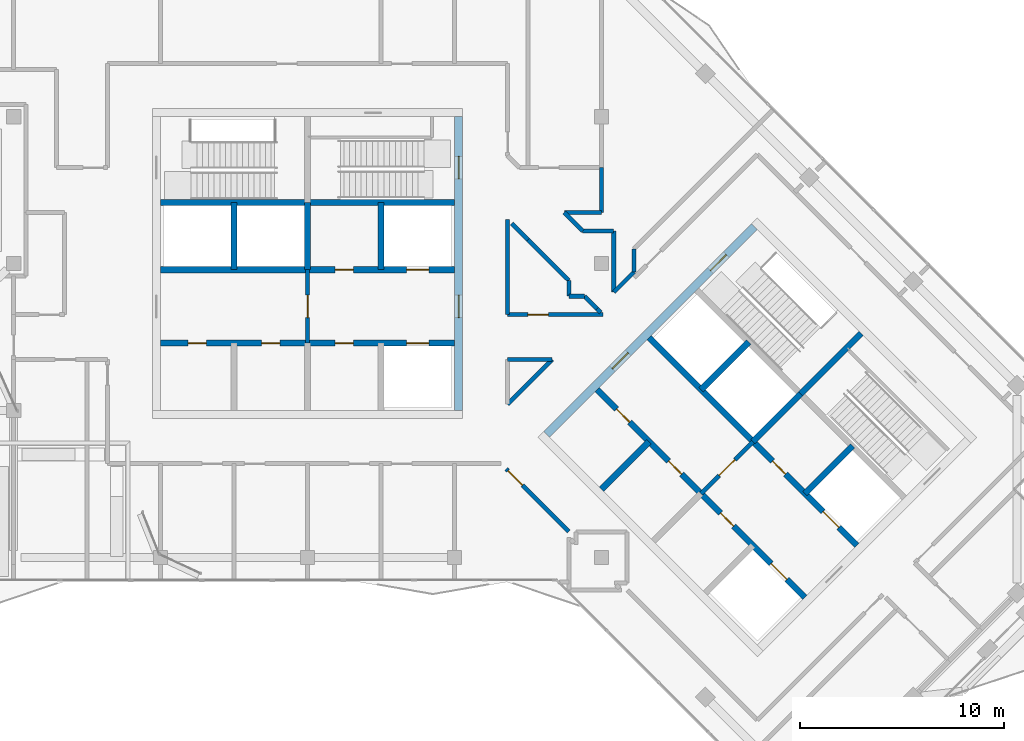
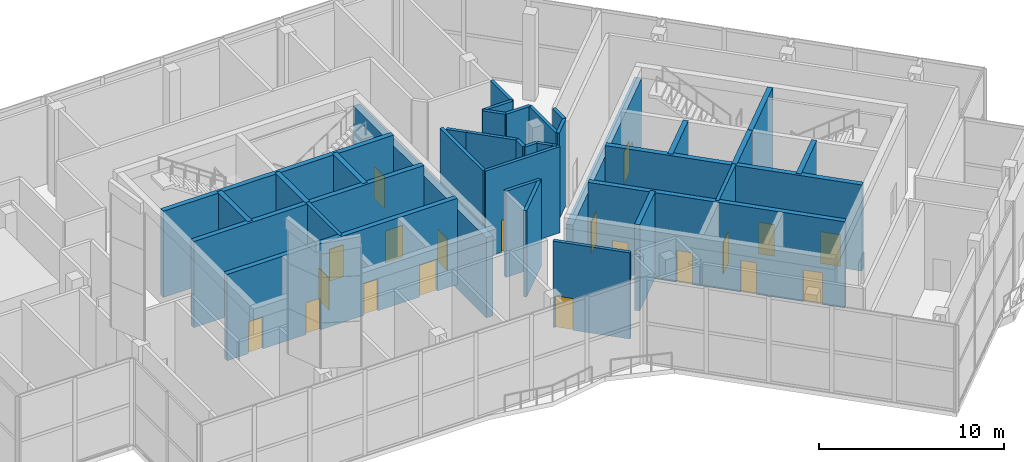
# One storey, part 13 of 19: 36 walls, 20 doors, 20 openings.
"""IFC4 building model written with IfcOpenShell, lengths in metres."""

from ifc_helpers import new_model, si_unit, direction, frame, frame_2d, origin, place, context, subcontext, project, spatial, rectangle, extrude, material, layer, layer_set, type_object, element, fill, save


model = new_model("IFC4")

# Units and contexts
model_context = context("Model", 3, precision=1e-05, world=origin(), true_north=direction((0.0, 1.0)))
body_context = subcontext(model_context, "Body", "Model", "MODEL_VIEW")
ifc_project = project(units=[si_unit("LENGTHUNIT", "METRE"), si_unit("AREAUNIT", "SQUARE_METRE"), si_unit("VOLUMEUNIT", "CUBIC_METRE"), si_unit("PLANEANGLEUNIT", "RADIAN"), si_unit("MASSUNIT", "GRAM", prefix="KILO")], contexts=[model_context])

# Site, building, storey
site_placement = place(None, origin())
site = spatial("IfcSite", under=ifc_project, at=site_placement, CompositionType="ELEMENT")
building_placement = place(site_placement, origin())
building = spatial("IfcBuilding", under=site, at=building_placement, Name="Windrow Commons", CompositionType="ELEMENT")
storey_placement = place(building_placement, frame((0.0, 0.0, 284.6)))
storey = spatial("IfcBuildingStorey", under=building, at=storey_placement, Name="L78", CompositionType="ELEMENT", Elevation=284.6)

# Wall, opening, door
ifc_material_1 = material(Name="Blockwork partition", Category="masonry")
ifc_layer_1 = layer(ifc_material_1, 0.2)
ifc_layer_set_1 = layer_set([ifc_layer_1], Name="Fire lobby partition 200")
wall_type_1 = type_object("IfcWallType", Name="Fire lobby partition 200", PredefinedType="PARTITIONING", material=ifc_layer_set_1)
wall_1_placement = place(storey_placement, frame((64.8, 53.7, 0.0), z_axis=(0.0, 0.0, 1.0), x_axis=(0.0, 1.0, 0.0)))
wall_1 = element("IfcWall", 1, at=wall_1_placement, inside=storey, type_object=wall_type_1, Name="W-core-lobby-A-L78", PredefinedType="PARTITIONING", context=body_context, shape_type="SweptSolid", body=[
    extrude(rectangle(XDim=3.6, YDim=0.2, at=frame_2d((1.8, 0.0))), origin(), (0.0, 0.0, 1.0), 5.7),
])
opening_1_placement = place(wall_1_placement, frame((1.25, 0.0, 0.0)))
opening_1 = element("IfcOpeningElement", 2, at=opening_1_placement, cuts=wall_1, Name="Opening D6", PredefinedType="OPENING", context=body_context, shape_type="SweptSolid", body=[
    extrude(rectangle(XDim=1.1, YDim=2.1, at=frame_2d((0.55, 1.05))), frame((0.0, 0.11, 0.0), z_axis=(0.0, -1.0, 0.0), x_axis=(1.0, 0.0, 0.0)), (0.0, 0.0, 1.0), 0.22),
])
ifc_material_2 = material(Name="Steel fire door leaf", Category="steel")
door_type_1 = type_object("IfcDoorType", Name="Core lobby door 1100", OperationType="SINGLE_SWING_LEFT", PredefinedType="DOOR", material=ifc_material_2)
door_1_placement = place(opening_1_placement, origin())
door_1 = element("IfcDoor", 3, at=door_1_placement, inside=storey, type_object=door_type_1, Name="Lift lobby door", OperationType="DOUBLE_DOOR_SINGLE_SWING", OverallHeight=2.1, OverallWidth=1.1, PredefinedType="DOOR", context=body_context, shape_type="SweptSolid", body=[
    extrude(rectangle(XDim=1.1, YDim=2.1, at=frame_2d((0.55, 1.05))), frame((0.0, 0.025, 0.0), z_axis=(0.0, -1.0, 0.0), x_axis=(1.0, 0.0, 0.0)), (0.0, 0.0, 1.0), 0.05),
])
fill(opening_1, door_1)

wall_2_placement = place(storey_placement, frame((84.079, 46.332, 0.0), z_axis=(0.0, 0.0, 1.0), x_axis=(0.7071067812, 0.7071067812, 0.0)))
wall_2 = element("IfcWall", 4, at=wall_2_placement, inside=storey, type_object=wall_type_1, Name="W-core-lobby-B-L78", PredefinedType="PARTITIONING", context=body_context, shape_type="SweptSolid", body=[
    extrude(rectangle(XDim=3.6, YDim=0.2, at=frame_2d((1.8, 0.0))), origin(), (0.0, 0.0, 1.0), 5.7),
])
opening_2_placement = place(wall_2_placement, frame((1.25, 0.0, 0.0)))
opening_2 = element("IfcOpeningElement", 5, at=opening_2_placement, cuts=wall_2, Name="Opening D6", PredefinedType="OPENING", context=body_context, shape_type="SweptSolid", body=[
    extrude(rectangle(XDim=1.1, YDim=2.1, at=frame_2d((0.55, 1.05))), frame((0.0, 0.11, 0.0), z_axis=(0.0, -1.0, 0.0), x_axis=(1.0, 0.0, 0.0)), (0.0, 0.0, 1.0), 0.22),
])
door_2_placement = place(opening_2_placement, origin())
door_2 = element("IfcDoor", 6, at=door_2_placement, inside=storey, type_object=door_type_1, Name="Lift lobby door", OperationType="DOUBLE_DOOR_SINGLE_SWING", OverallHeight=2.1, OverallWidth=1.1, PredefinedType="DOOR", context=body_context, shape_type="SweptSolid", body=[
    extrude(rectangle(XDim=1.1, YDim=2.1, at=frame_2d((0.55, 1.05))), frame((0.0, 0.025, 0.0), z_axis=(0.0, -1.0, 0.0), x_axis=(1.0, 0.0, 0.0)), (0.0, 0.0, 1.0), 0.05),
])
fill(opening_2, door_2)

# Wall
ifc_material_3 = material(Name="Blockwork partition", Category="masonry")
ifc_layer_2 = layer(ifc_material_3, 0.2)
ifc_layer_set_2 = layer_set([ifc_layer_2], Name="IW-CORRIDOR-200")
wall_type_2 = type_object("IfcWallType", Name="IW-CORRIDOR-200", PredefinedType="PARTITIONING", material=ifc_layer_set_2)
wall_3_placement = place(storey_placement, frame((74.6, 55.102, 0.0), z_axis=(0.0, 0.0, 1.0), x_axis=(0.0, 1.0, 0.0)))
element("IfcWall", 7, at=wall_3_placement, inside=storey, type_object=wall_type_2, Name="W-L78-W033", PredefinedType="PARTITIONING", context=body_context, shape_type="SweptSolid", body=[
    extrude(rectangle(XDim=4.666, YDim=0.2, at=frame_2d((2.333, 0.0))), origin(), (0.0, 0.0, 1.0), 5.7),
])

# Wall, opening, door
wall_4_placement = place(storey_placement, frame((74.602, 55.1, 0.0), z_axis=(0.0, 0.0, 1.0), x_axis=(1.0, 0.0, 0.0)))
wall_4 = element("IfcWall", 8, at=wall_4_placement, inside=storey, type_object=wall_type_2, Name="W-L78-W034", PredefinedType="PARTITIONING", context=body_context, shape_type="SweptSolid", body=[
    extrude(rectangle(XDim=4.666, YDim=0.2, at=frame_2d((2.333, 0.0))), origin(), (0.0, 0.0, 1.0), 5.7),
])
opening_3_placement = place(wall_4_placement, frame((0.9954, 0.0, 0.0)))
opening_3 = element("IfcOpeningElement", 9, at=opening_3_placement, cuts=wall_4, Name="Opening D410F", PredefinedType="OPENING", context=body_context, shape_type="SweptSolid", body=[
    extrude(rectangle(XDim=1.0, YDim=2.1, at=frame_2d((0.5, 1.05))), frame((0.0, 0.11, 0.0), z_axis=(0.0, -1.0, 0.0), x_axis=(1.0, 0.0, 0.0)), (0.0, 0.0, 1.0), 0.22),
])
ifc_material_4 = material(Name="Timber door leaf", Category="wood")
door_type_2 = type_object("IfcDoorType", Name="DT-SERVICE-1000", OperationType="SINGLE_SWING_LEFT", PredefinedType="DOOR", material=ifc_material_4)
door_3_placement = place(opening_3_placement, origin())
door_3 = element("IfcDoor", 10, at=door_3_placement, inside=storey, type_object=door_type_2, Name="D-L78-D001", OperationType="SINGLE_SWING_LEFT", OverallHeight=2.1, OverallWidth=1.0, PredefinedType="DOOR", context=body_context, shape_type="SweptSolid", body=[
    extrude(rectangle(XDim=1.0, YDim=2.1, at=frame_2d((0.5, 1.05))), frame((0.0, 0.025, 0.0), z_axis=(0.0, -1.0, 0.0), x_axis=(1.0, 0.0, 0.0)), (0.0, 0.0, 1.0), 0.05),
])
fill(opening_3, door_3)

wall_5_placement = place(storey_placement, frame((74.5375, 47.5375, 0.0), z_axis=(0.0, 0.0, 1.0), x_axis=(0.7071067812, -0.7071067812, 0.0)))
wall_5 = element("IfcWall", 11, at=wall_5_placement, inside=storey, type_object=wall_type_2, Name="W-L78-W041", PredefinedType="PARTITIONING", context=body_context, shape_type="SweptSolid", body=[
    extrude(rectangle(XDim=4.336, YDim=0.2, at=frame_2d((2.168, 0.0))), origin(), (0.0, 0.0, 1.0), 5.7),
])
opening_4_placement = place(wall_5_placement, frame((0.1222, 0.0, 0.0)))
opening_4 = element("IfcOpeningElement", 12, at=opening_4_placement, cuts=wall_5, Name="Opening D410F", PredefinedType="OPENING", context=body_context, shape_type="SweptSolid", body=[
    extrude(rectangle(XDim=1.0, YDim=2.1, at=frame_2d((0.5, 1.05))), frame((0.0, 0.11, 0.0), z_axis=(0.0, -1.0, 0.0), x_axis=(1.0, 0.0, 0.0)), (0.0, 0.0, 1.0), 0.22),
])
door_4_placement = place(opening_4_placement, origin())
door_4 = element("IfcDoor", 13, at=door_4_placement, inside=storey, type_object=door_type_2, Name="D-L78-D021", OperationType="SINGLE_SWING_LEFT", OverallHeight=2.1, OverallWidth=1.0, PredefinedType="DOOR", context=body_context, shape_type="SweptSolid", body=[
    extrude(rectangle(XDim=1.0, YDim=2.1, at=frame_2d((0.5, 1.05))), frame((0.0, 0.025, 0.0), z_axis=(0.0, -1.0, 0.0), x_axis=(1.0, 0.0, 0.0)), (0.0, 0.0, 1.0), 0.05),
])
fill(opening_4, door_4)

# Walls
wall_6_placement = place(storey_placement, frame((74.601, 50.715, 0.0), z_axis=(0.0, 0.0, 1.0), x_axis=(0.7071067812, 0.7071067812, 0.0)))
element("IfcWall", 14, at=wall_6_placement, inside=storey, type_object=wall_type_2, Name="W-L78-W052", PredefinedType="PARTITIONING", context=body_context, shape_type="SweptSolid", body=[
    extrude(rectangle(XDim=3.0886, YDim=0.2, at=frame_2d((1.5443, 0.0))), origin(), (0.0, 0.0, 1.0), 5.7),
])
wall_7_placement = place(storey_placement, frame((79.8, 56.198, 0.0), z_axis=(0.0, 0.0, 1.0), x_axis=(0.0, 1.0, 0.0)))
element("IfcWall", 15, at=wall_7_placement, inside=storey, type_object=wall_type_2, Name="W-L78-W053", PredefinedType="PARTITIONING", context=body_context, shape_type="SweptSolid", body=[
    extrude(rectangle(XDim=3.002, YDim=0.2, at=frame_2d((1.501, 0.0))), origin(), (0.0, 0.0, 1.0), 5.7),
])
wall_8_placement = place(storey_placement, frame((75.6014, 58.7714, 0.0), z_axis=(0.0, 0.0, 1.0), x_axis=(0.7074604229, -0.7067529625, 0.0)))
element("IfcWall", 16, at=wall_8_placement, inside=storey, type_object=wall_type_2, Name="W-L78-W055", PredefinedType="PARTITIONING", context=body_context, shape_type="SweptSolid", body=[
    extrude(rectangle(XDim=2.827, YDim=0.2, at=frame_2d((1.4135, 0.0))), origin(), (0.0, 0.0, 1.0), 5.7),
])
wall_9_placement = place(storey_placement, frame((79.2, 60.1, 0.0), z_axis=(0.0, 0.0, 1.0), x_axis=(0.0, 1.0, 0.0)))
element("IfcWall", 17, at=wall_9_placement, inside=storey, type_object=wall_type_2, Name="W-L78-W066", PredefinedType="PARTITIONING", context=body_context, shape_type="SweptSolid", body=[
    extrude(rectangle(XDim=2.2, YDim=0.2, at=frame_2d((1.1, 0.0))), origin(), (0.0, 0.0, 1.0), 5.7),
])
wall_10_placement = place(storey_placement, frame((74.602, 52.9, 0.0), z_axis=(0.0, 0.0, 1.0), x_axis=(1.0, 0.0, 0.0)))
element("IfcWall", 18, at=wall_10_placement, inside=storey, type_object=wall_type_2, Name="W-L78-W069", PredefinedType="PARTITIONING", context=body_context, shape_type="SweptSolid", body=[
    extrude(rectangle(XDim=2.184, YDim=0.2, at=frame_2d((1.092, 0.0))), origin(), (0.0, 0.0, 1.0), 5.7),
])
wall_11_placement = place(storey_placement, frame((77.384, 60.1, 0.0), z_axis=(0.0, 0.0, 1.0), x_axis=(1.0, 0.0, 0.0)))
element("IfcWall", 19, at=wall_11_placement, inside=storey, type_object=wall_type_2, Name="W-L78-W079", PredefinedType="PARTITIONING", context=body_context, shape_type="SweptSolid", body=[
    extrude(rectangle(XDim=1.816, YDim=0.2, at=frame_2d((0.908, 0.0))), origin(), (0.0, 0.0, 1.0), 5.7),
])
wall_12_placement = place(storey_placement, frame((78.282, 59.2, 0.0), z_axis=(0.0, 0.0, 1.0), x_axis=(1.0, 0.0, 0.0)))
element("IfcWall", 20, at=wall_12_placement, inside=storey, type_object=wall_type_2, Name="W-L78-W080", PredefinedType="PARTITIONING", context=body_context, shape_type="SweptSolid", body=[
    extrude(rectangle(XDim=1.518, YDim=0.2, at=frame_2d((0.759, 0.0))), origin(), (0.0, 0.0, 1.0), 5.7),
])
wall_13_placement = place(storey_placement, frame((79.8033, 56.1947, 0.0), z_axis=(0.0, 0.0, 1.0), x_axis=(0.7063986127, 0.7078142412, 0.0)))
element("IfcWall", 21, at=wall_13_placement, inside=storey, type_object=wall_type_2, Name="W-L78-W081", PredefinedType="PARTITIONING", context=body_context, shape_type="SweptSolid", body=[
    extrude(rectangle(XDim=1.4128, YDim=0.2, at=frame_2d((0.7064, 0.0))), origin(), (0.0, 0.0, 1.0), 5.7),
])
wall_14_placement = place(storey_placement, frame((77.3809, 60.0949, 0.0), z_axis=(0.0, 0.0, 1.0), x_axis=(0.7071067812, -0.7071067812, 0.0)))
element("IfcWall", 22, at=wall_14_placement, inside=storey, type_object=wall_type_2, Name="W-L78-W084", PredefinedType="PARTITIONING", context=body_context, shape_type="SweptSolid", body=[
    extrude(rectangle(XDim=1.27, YDim=0.2, at=frame_2d((0.635, 0.0))), origin(), (0.0, 0.0, 1.0), 5.7),
])
wall_15_placement = place(storey_placement, frame((74.7972, 59.5672, 0.0), z_axis=(0.0, 0.0, 1.0), x_axis=(0.7071067812, -0.7071067812, 0.0)))
element("IfcWall", 23, at=wall_15_placement, inside=storey, type_object=wall_type_2, Name="W-L78-W086", PredefinedType="PARTITIONING", context=body_context, shape_type="SweptSolid", body=[
    extrude(rectangle(XDim=1.1314, YDim=0.2, at=frame_2d((0.5657, 0.0))), origin(), (0.0, 0.0, 1.0), 5.7),
])
wall_16_placement = place(storey_placement, frame((78.3714, 55.9994, 0.0), z_axis=(0.0, 0.0, 1.0), x_axis=(0.7059598138, -0.7082518911, 0.0)))
element("IfcWall", 24, at=wall_16_placement, inside=storey, type_object=wall_type_2, Name="W-L78-W090", PredefinedType="PARTITIONING", context=body_context, shape_type="SweptSolid", body=[
    extrude(rectangle(XDim=0.8726, YDim=0.2, at=frame_2d((0.4363, 0.0))), origin(), (0.0, 0.0, 1.0), 5.7),
])
for number, where, z_axis, x_axis, name in (
    (25, (77.602, 56.0, 0.0), (0.0, 0.0, 1.0), (1.0, 0.0, 0.0), "W-L78-W093"),
    (26, (77.6, 56.002, 0.0), (0.0, 0.0, 1.0), (0.0, 1.0, 0.0), "W-L78-W094"),
):
    element("IfcWall", number, at=place(storey_placement, frame(where, z_axis=z_axis, x_axis=x_axis)), inside=storey, type_object=wall_type_2, Name=name, PredefinedType="PARTITIONING", context=body_context, shape_type="SweptSolid", body=[
        extrude(rectangle(XDim=0.768, YDim=0.2, at=frame_2d((0.384, 0.0))), origin(), (0.0, 0.0, 1.0), 5.7),
    ])
wall_17_placement = place(storey_placement, frame((78.9852, 55.3792, 0.0), z_axis=(0.0, 0.0, 1.0), x_axis=(0.7096269458, -0.7045776024, 0.0)))
element("IfcWall", 27, at=wall_17_placement, inside=storey, type_object=wall_type_2, Name="W-L78-W119", PredefinedType="PARTITIONING", context=body_context, shape_type="SweptSolid", body=[
    extrude(rectangle(XDim=0.2575, YDim=0.2, at=frame_2d((0.1288, 0.0))), origin(), (0.0, 0.0, 1.0), 5.7),
])
ifc_material_5 = material(Name="Blockwork partition", Category="masonry")
ifc_layer_3 = layer(ifc_material_5, 0.2)
ifc_layer_set_3 = layer_set([ifc_layer_3], Name="IW-PARTY-200")
wall_type_3 = type_object("IfcWallType", Name="IW-PARTY-200", PredefinedType="PARTITIONING", material=ifc_layer_set_3)
wall_18_placement = place(storey_placement, frame((80.8, 57.196, 0.0), z_axis=(0.0, 0.0, 1.0), x_axis=(0.0, 1.0, 0.0)))
element("IfcWall", 28, at=wall_18_placement, inside=storey, type_object=wall_type_3, Name="W-L78-W087", PredefinedType="PARTITIONING", context=body_context, shape_type="SweptSolid", body=[
    extrude(rectangle(XDim=1.13, YDim=0.2, at=frame_2d((0.565, 0.0))), origin(), (0.0, 0.0, 1.0), 5.7),
])

# Wall, openings, doors
ifc_material_6 = material(Name="Concrete C40/50", Category="concrete")
ifc_layer_4 = layer(ifc_material_6, 0.4)
ifc_layer_set_4 = layer_set([ifc_layer_4], Name="RC CORE WALL 400 C40/50")
wall_type_4 = type_object("IfcWallType", Name="RC CORE WALL 400 C40/50", PredefinedType="SHEAR", material=ifc_layer_set_4)
wall_19_placement = place(storey_placement, frame((72.2, 50.4, -0.3), z_axis=(0.0, 0.0, 1.0), x_axis=(0.0, 1.0, 0.0)))
wall_19 = element("IfcWall", 29, at=wall_19_placement, inside=storey, type_object=wall_type_4, Name="Core A wall outer-E", PredefinedType="SHEAR", context=body_context, shape_type="SweptSolid", body=[
    extrude(rectangle(XDim=14.4, YDim=0.4, at=frame_2d((7.2, 0.0))), origin(), (0.0, 0.0, 1.0), 5.3),
])
opening_5_placement = place(wall_19_placement, frame((4.55, 0.0, 0.3)))
opening_5 = element("IfcOpeningElement", 30, at=opening_5_placement, cuts=wall_19, Name="Opening D6", PredefinedType="OPENING", context=body_context, shape_type="SweptSolid", body=[
    extrude(rectangle(XDim=1.1, YDim=2.1, at=frame_2d((0.55, 1.05))), frame((0.0, 0.21, 0.0), z_axis=(0.0, -1.0, 0.0), x_axis=(1.0, 0.0, 0.0)), (0.0, 0.0, 1.0), 0.42),
])
opening_6_placement = place(wall_19_placement, frame((11.35, 0.0, 0.3)))
opening_6 = element("IfcOpeningElement", 31, at=opening_6_placement, cuts=wall_19, Name="Opening D7", PredefinedType="OPENING", context=body_context, shape_type="SweptSolid", body=[
    extrude(rectangle(XDim=1.1, YDim=2.1, at=frame_2d((0.55, 1.05))), frame((0.0, 0.21, 0.0), z_axis=(0.0, -1.0, 0.0), x_axis=(1.0, 0.0, 0.0)), (0.0, 0.0, 1.0), 0.42),
])
door_5_placement = place(opening_5_placement, origin())
door_5 = element("IfcDoor", 32, at=door_5_placement, inside=storey, type_object=door_type_1, Name="Lift lobby door", OperationType="DOUBLE_DOOR_SINGLE_SWING", OverallHeight=2.1, OverallWidth=1.1, PredefinedType="DOOR", context=body_context, shape_type="SweptSolid", body=[
    extrude(rectangle(XDim=1.1, YDim=2.1, at=frame_2d((0.55, 1.05))), frame((0.0, 0.025, 0.0), z_axis=(0.0, -1.0, 0.0), x_axis=(1.0, 0.0, 0.0)), (0.0, 0.0, 1.0), 0.05),
])
fill(opening_5, door_5)
ifc_material_7 = material(Name="Steel fire door leaf", Category="steel")
door_type_3 = type_object("IfcDoorType", Name="Stair door 1100", OperationType="SINGLE_SWING_LEFT", PredefinedType="DOOR", material=ifc_material_7)
door_6_placement = place(opening_6_placement, origin())
door_6 = element("IfcDoor", 33, at=door_6_placement, inside=storey, type_object=door_type_3, Name="Stair door", OperationType="SINGLE_SWING_RIGHT", OverallHeight=2.1, OverallWidth=1.1, PredefinedType="DOOR", context=body_context, shape_type="SweptSolid", body=[
    extrude(rectangle(XDim=1.1, YDim=2.1, at=frame_2d((0.55, 1.05))), frame((0.0, 0.025, 0.0), z_axis=(0.0, -1.0, 0.0), x_axis=(1.0, 0.0, 0.0)), (0.0, 0.0, 1.0), 0.05),
])
fill(opening_6, door_6)

wall_20_placement = place(storey_placement, frame((76.513, 49.2312, -0.3), z_axis=(0.0, 0.0, 1.0), x_axis=(0.7071067812, 0.7071067812, 0.0)))
wall_20 = element("IfcWall", 34, at=wall_20_placement, inside=storey, type_object=wall_type_4, Name="Core B wall outer-W", PredefinedType="SHEAR", context=body_context, shape_type="SweptSolid", body=[
    extrude(rectangle(XDim=14.3999, YDim=0.4, at=frame_2d((7.2, 0.0))), origin(), (0.0, 0.0, 1.0), 5.3),
])
opening_7_placement = place(wall_20_placement, frame((4.55, 0.0, 0.3)))
opening_7 = element("IfcOpeningElement", 35, at=opening_7_placement, cuts=wall_20, Name="Opening D6", PredefinedType="OPENING", context=body_context, shape_type="SweptSolid", body=[
    extrude(rectangle(XDim=1.1, YDim=2.1, at=frame_2d((0.55, 1.05))), frame((0.0, 0.21, 0.0), z_axis=(0.0, -1.0, 0.0), x_axis=(1.0, 0.0, 0.0)), (0.0, 0.0, 1.0), 0.42),
])
opening_8_placement = place(wall_20_placement, frame((11.35, 0.0, 0.3)))
opening_8 = element("IfcOpeningElement", 36, at=opening_8_placement, cuts=wall_20, Name="Opening D7", PredefinedType="OPENING", context=body_context, shape_type="SweptSolid", body=[
    extrude(rectangle(XDim=1.1, YDim=2.1, at=frame_2d((0.55, 1.05))), frame((0.0, 0.21, 0.0), z_axis=(0.0, -1.0, 0.0), x_axis=(1.0, 0.0, 0.0)), (0.0, 0.0, 1.0), 0.42),
])
door_7_placement = place(opening_7_placement, origin())
door_7 = element("IfcDoor", 37, at=door_7_placement, inside=storey, type_object=door_type_1, Name="Lift lobby door", OperationType="DOUBLE_DOOR_SINGLE_SWING", OverallHeight=2.1, OverallWidth=1.1, PredefinedType="DOOR", context=body_context, shape_type="SweptSolid", body=[
    extrude(rectangle(XDim=1.1, YDim=2.1, at=frame_2d((0.55, 1.05))), frame((0.0, 0.025, 0.0), z_axis=(0.0, -1.0, 0.0), x_axis=(1.0, 0.0, 0.0)), (0.0, 0.0, 1.0), 0.05),
])
fill(opening_7, door_7)
door_8_placement = place(opening_8_placement, origin())
door_8 = element("IfcDoor", 38, at=door_8_placement, inside=storey, type_object=door_type_3, Name="Stair door", OperationType="SINGLE_SWING_LEFT", OverallHeight=2.1, OverallWidth=1.1, PredefinedType="DOOR", context=body_context, shape_type="SweptSolid", body=[
    extrude(rectangle(XDim=1.1, YDim=2.1, at=frame_2d((0.55, 1.05))), frame((0.0, 0.025, 0.0), z_axis=(0.0, -1.0, 0.0), x_axis=(1.0, 0.0, 0.0)), (0.0, 0.0, 1.0), 0.05),
])
fill(opening_8, door_8)

# Walls
ifc_material_8 = material(Name="Concrete C40/50", Category="concrete")
ifc_layer_5 = layer(ifc_material_8, 0.3)
ifc_layer_set_5 = layer_set([ifc_layer_5], Name="RC SHAFT WALL 300 C40/50")
wall_type_5 = type_object("IfcWallType", Name="RC SHAFT WALL 300 C40/50", PredefinedType="SOLIDWALL", material=ifc_layer_set_5)
for number, where, z_axis, x_axis, name in (
    (39, (61.2, 57.3, 0.0), (0.0, 0.0, 1.0), (0.0, 1.0, 0.0), "Core A wall shaft-N1"),
    (40, (64.8, 57.3, 0.0), (0.0, 0.0, 1.0), (0.0, 1.0, 0.0), "Core A wall shaft-N2"),
    (41, (68.4, 57.3, 0.0), (0.0, 0.0, 1.0), (0.0, 1.0, 0.0), "Core A wall shaft-N3"),
):
    element("IfcWall", number, at=place(storey_placement, frame(where, z_axis=z_axis, x_axis=x_axis)), inside=storey, type_object=wall_type_5, Name=name, PredefinedType="SOLIDWALL", context=body_context, shape_type="SweptSolid", body=[
        extrude(rectangle(XDim=3.3, YDim=0.3, at=frame_2d((1.65, 0.0))), origin(), (0.0, 0.0, 1.0), 5.7),
    ])

# Wall, openings, doors
wall_21_placement = place(storey_placement, frame((57.6, 53.7, 0.0), z_axis=(0.0, 0.0, 1.0), x_axis=(1.0, 0.0, 0.0)))
wall_21 = element("IfcWall", 42, at=wall_21_placement, inside=storey, type_object=wall_type_5, Name="Core A wall lobby-S", PredefinedType="SOLIDWALL", context=body_context, shape_type="SweptSolid", body=[
    extrude(rectangle(XDim=14.4, YDim=0.3, at=frame_2d((7.2, 0.0))), origin(), (0.0, 0.0, 1.0), 5.7),
])
opening_9_placement = place(wall_21_placement, frame((1.35, 0.0, 0.0)))
opening_9 = element("IfcOpeningElement", 43, at=opening_9_placement, cuts=wall_21, Name="Opening D8", PredefinedType="OPENING", context=body_context, shape_type="SweptSolid", body=[
    extrude(rectangle(XDim=0.9, YDim=2.1, at=frame_2d((0.45, 1.05))), frame((0.0, 0.16, 0.0), z_axis=(0.0, -1.0, 0.0), x_axis=(1.0, 0.0, 0.0)), (0.0, 0.0, 1.0), 0.32),
])
opening_10_placement = place(wall_21_placement, frame((4.95, 0.0, 0.0)))
opening_10 = element("IfcOpeningElement", 44, at=opening_10_placement, cuts=wall_21, Name="Opening D8", PredefinedType="OPENING", context=body_context, shape_type="SweptSolid", body=[
    extrude(rectangle(XDim=0.9, YDim=2.1, at=frame_2d((0.45, 1.05))), frame((0.0, 0.16, 0.0), z_axis=(0.0, -1.0, 0.0), x_axis=(1.0, 0.0, 0.0)), (0.0, 0.0, 1.0), 0.32),
])
opening_11_placement = place(wall_21_placement, frame((8.55, 0.0, 0.0)))
opening_11 = element("IfcOpeningElement", 45, at=opening_11_placement, cuts=wall_21, Name="Opening D8", PredefinedType="OPENING", context=body_context, shape_type="SweptSolid", body=[
    extrude(rectangle(XDim=0.9, YDim=2.1, at=frame_2d((0.45, 1.05))), frame((0.0, 0.16, 0.0), z_axis=(0.0, -1.0, 0.0), x_axis=(1.0, 0.0, 0.0)), (0.0, 0.0, 1.0), 0.32),
])
opening_12_placement = place(wall_21_placement, frame((12.05, 0.0, 0.0)))
opening_12 = element("IfcOpeningElement", 46, at=opening_12_placement, cuts=wall_21, Name="Opening LD", PredefinedType="OPENING", context=body_context, shape_type="SweptSolid", body=[
    extrude(rectangle(XDim=1.1, YDim=2.1, at=frame_2d((0.55, 1.05))), frame((0.0, 0.16, 0.0), z_axis=(0.0, -1.0, 0.0), x_axis=(1.0, 0.0, 0.0)), (0.0, 0.0, 1.0), 0.32),
])
ifc_material_9 = material(Name="Steel fire door leaf", Category="steel")
door_type_4 = type_object("IfcDoorType", Name="Core store door 900", OperationType="SINGLE_SWING_LEFT", PredefinedType="DOOR", material=ifc_material_9)
door_9_placement = place(opening_9_placement, origin())
door_9 = element("IfcDoor", 47, at=door_9_placement, inside=storey, type_object=door_type_4, Name="Store door", OperationType="SINGLE_SWING_LEFT", OverallHeight=2.1, OverallWidth=0.9, PredefinedType="DOOR", context=body_context, shape_type="SweptSolid", body=[
    extrude(rectangle(XDim=0.9, YDim=2.1, at=frame_2d((0.45, 1.05))), frame((0.0, 0.025, 0.0), z_axis=(0.0, -1.0, 0.0), x_axis=(1.0, 0.0, 0.0)), (0.0, 0.0, 1.0), 0.05),
])
fill(opening_9, door_9)
door_10_placement = place(opening_10_placement, origin())
door_10 = element("IfcDoor", 48, at=door_10_placement, inside=storey, type_object=door_type_4, Name="Store door", OperationType="SINGLE_SWING_LEFT", OverallHeight=2.1, OverallWidth=0.9, PredefinedType="DOOR", context=body_context, shape_type="SweptSolid", body=[
    extrude(rectangle(XDim=0.9, YDim=2.1, at=frame_2d((0.45, 1.05))), frame((0.0, 0.025, 0.0), z_axis=(0.0, -1.0, 0.0), x_axis=(1.0, 0.0, 0.0)), (0.0, 0.0, 1.0), 0.05),
])
fill(opening_10, door_10)
door_11_placement = place(opening_11_placement, origin())
door_11 = element("IfcDoor", 49, at=door_11_placement, inside=storey, type_object=door_type_4, Name="Store door", OperationType="SINGLE_SWING_LEFT", OverallHeight=2.1, OverallWidth=0.9, PredefinedType="DOOR", context=body_context, shape_type="SweptSolid", body=[
    extrude(rectangle(XDim=0.9, YDim=2.1, at=frame_2d((0.45, 1.05))), frame((0.0, 0.025, 0.0), z_axis=(0.0, -1.0, 0.0), x_axis=(1.0, 0.0, 0.0)), (0.0, 0.0, 1.0), 0.05),
])
fill(opening_11, door_11)
ifc_material_10 = material(Name="Stainless steel door leaf", Category="steel")
door_type_5 = type_object("IfcDoorType", Name="Lift landing door 1100", OperationType="SLIDING_TO_LEFT", PredefinedType="DOOR", material=ifc_material_10)
door_12_placement = place(opening_12_placement, origin())
door_12 = element("IfcDoor", 50, at=door_12_placement, inside=storey, type_object=door_type_5, Name="Lift landing door", OperationType="SLIDING_TO_RIGHT", OverallHeight=2.1, OverallWidth=1.1, PredefinedType="DOOR", context=body_context, shape_type="SweptSolid", body=[
    extrude(rectangle(XDim=1.1, YDim=2.1, at=frame_2d((0.55, 1.05))), frame((0.0, 0.025, 0.0), z_axis=(0.0, -1.0, 0.0), x_axis=(1.0, 0.0, 0.0)), (0.0, 0.0, 1.0), 0.05),
])
fill(opening_12, door_12)

wall_22_placement = place(storey_placement, frame((57.6, 57.3, 0.0), z_axis=(0.0, 0.0, 1.0), x_axis=(1.0, 0.0, 0.0)))
wall_22 = element("IfcWall", 51, at=wall_22_placement, inside=storey, type_object=wall_type_5, Name="Core A wall lobby-N", PredefinedType="SOLIDWALL", context=body_context, shape_type="SweptSolid", body=[
    extrude(rectangle(XDim=14.4, YDim=0.3, at=frame_2d((7.2, 0.0))), origin(), (0.0, 0.0, 1.0), 5.7),
])
opening_13_placement = place(wall_22_placement, frame((8.55, 0.0, 0.0)))
opening_13 = element("IfcOpeningElement", 52, at=opening_13_placement, cuts=wall_22, Name="Opening D8", PredefinedType="OPENING", context=body_context, shape_type="SweptSolid", body=[
    extrude(rectangle(XDim=0.9, YDim=2.1, at=frame_2d((0.45, 1.05))), frame((0.0, 0.16, 0.0), z_axis=(0.0, -1.0, 0.0), x_axis=(1.0, 0.0, 0.0)), (0.0, 0.0, 1.0), 0.32),
])
opening_14_placement = place(wall_22_placement, frame((12.05, 0.0, 0.0)))
opening_14 = element("IfcOpeningElement", 53, at=opening_14_placement, cuts=wall_22, Name="Opening LD", PredefinedType="OPENING", context=body_context, shape_type="SweptSolid", body=[
    extrude(rectangle(XDim=1.1, YDim=2.1, at=frame_2d((0.55, 1.05))), frame((0.0, 0.16, 0.0), z_axis=(0.0, -1.0, 0.0), x_axis=(1.0, 0.0, 0.0)), (0.0, 0.0, 1.0), 0.32),
])
door_13_placement = place(opening_13_placement, origin())
door_13 = element("IfcDoor", 54, at=door_13_placement, inside=storey, type_object=door_type_4, Name="Store door", OperationType="SINGLE_SWING_LEFT", OverallHeight=2.1, OverallWidth=0.9, PredefinedType="DOOR", context=body_context, shape_type="SweptSolid", body=[
    extrude(rectangle(XDim=0.9, YDim=2.1, at=frame_2d((0.45, 1.05))), frame((0.0, 0.025, 0.0), z_axis=(0.0, -1.0, 0.0), x_axis=(1.0, 0.0, 0.0)), (0.0, 0.0, 1.0), 0.05),
])
fill(opening_13, door_13)
door_14_placement = place(opening_14_placement, origin())
door_14 = element("IfcDoor", 55, at=door_14_placement, inside=storey, type_object=door_type_5, Name="Lift landing door", OperationType="SLIDING_TO_RIGHT", OverallHeight=2.1, OverallWidth=1.1, PredefinedType="DOOR", context=body_context, shape_type="SweptSolid", body=[
    extrude(rectangle(XDim=1.1, YDim=2.1, at=frame_2d((0.55, 1.05))), frame((0.0, 0.025, 0.0), z_axis=(0.0, -1.0, 0.0), x_axis=(1.0, 0.0, 0.0)), (0.0, 0.0, 1.0), 0.05),
])
fill(opening_14, door_14)

# Walls
for number, where, z_axis, x_axis, name in (
    (56, (57.6, 60.6, 0.0), (0.0, 0.0, 1.0), (1.0, 0.0, 0.0), "Core A wall stair-S"),
    (57, (64.8, 60.6, 0.0), (0.0, 0.0, 1.0), (1.0, 0.0, 0.0), "Core A wall stair-S2"),
):
    element("IfcWall", number, at=place(storey_placement, frame(where, z_axis=z_axis, x_axis=x_axis)), inside=storey, type_object=wall_type_5, Name=name, PredefinedType="SOLIDWALL", context=body_context, shape_type="SweptSolid", body=[
        extrude(rectangle(XDim=7.2, YDim=0.3, at=frame_2d((3.6, 0.0))), origin(), (0.0, 0.0, 1.0), 5.7),
    ])
for number, where, z_axis, x_axis, name in (
    (58, (79.2, 46.5442, 0.0), (0.0, 0.0, 1.0), (0.7071219326, 0.7070916295, 0.0), "Core B wall shaft-S1"),
    (59, (84.079, 51.4232, 0.0), (0.0, 0.0, 1.0), (0.7071219326, 0.7070916295, 0.0), "Core B wall shaft-N1"),
):
    element("IfcWall", number, at=place(storey_placement, frame(where, z_axis=z_axis, x_axis=x_axis)), inside=storey, type_object=wall_type_5, Name=name, PredefinedType="SOLIDWALL", context=body_context, shape_type="SweptSolid", body=[
        extrude(rectangle(XDim=3.3, YDim=0.3, at=frame_2d((1.65, 0.0))), origin(), (0.0, 0.0, 1.0), 5.7),
    ])
for number, where, z_axis, x_axis, name in (
    (60, (86.6246, 48.8776, 0.0), (0.0, 0.0, 1.0), (0.7071067812, 0.7071067812, 0.0), "Core B wall shaft-N2"),
    (61, (89.1702, 46.332, 0.0), (0.0, 0.0, 1.0), (0.7071067812, 0.7071067812, 0.0), "Core B wall shaft-N3"),
):
    element("IfcWall", number, at=place(storey_placement, frame(where, z_axis=z_axis, x_axis=x_axis)), inside=storey, type_object=wall_type_5, Name=name, PredefinedType="SOLIDWALL", context=body_context, shape_type="SweptSolid", body=[
        extrude(rectangle(XDim=3.3001, YDim=0.3, at=frame_2d((1.6501, 0.0))), origin(), (0.0, 0.0, 1.0), 5.7),
    ])

# Wall, openings, doors
wall_23_placement = place(storey_placement, frame((78.9879, 51.4232, 0.0), z_axis=(0.0, 0.0, 1.0), x_axis=(0.7071067812, -0.7071067812, 0.0)))
wall_23 = element("IfcWall", 62, at=wall_23_placement, inside=storey, type_object=wall_type_5, Name="Core B wall lobby-S", PredefinedType="SOLIDWALL", context=body_context, shape_type="SweptSolid", body=[
    extrude(rectangle(XDim=14.3999, YDim=0.3, at=frame_2d((7.2, 0.0))), origin(), (0.0, 0.0, 1.0), 5.7),
])
opening_15_placement = place(wall_23_placement, frame((1.35, 0.0, 0.0)))
opening_15 = element("IfcOpeningElement", 63, at=opening_15_placement, cuts=wall_23, Name="Opening D8", PredefinedType="OPENING", context=body_context, shape_type="SweptSolid", body=[
    extrude(rectangle(XDim=0.9, YDim=2.1, at=frame_2d((0.45, 1.05))), frame((0.0, 0.16, 0.0), z_axis=(0.0, -1.0, 0.0), x_axis=(1.0, 0.0, 0.0)), (0.0, 0.0, 1.0), 0.32),
])
opening_16_placement = place(wall_23_placement, frame((4.95, 0.0, 0.0)))
opening_16 = element("IfcOpeningElement", 64, at=opening_16_placement, cuts=wall_23, Name="Opening D8", PredefinedType="OPENING", context=body_context, shape_type="SweptSolid", body=[
    extrude(rectangle(XDim=0.9, YDim=2.1, at=frame_2d((0.45, 1.05))), frame((0.0, 0.16, 0.0), z_axis=(0.0, -1.0, 0.0), x_axis=(1.0, 0.0, 0.0)), (0.0, 0.0, 1.0), 0.32),
])
opening_17_placement = place(wall_23_placement, frame((8.55, 0.0, 0.0)))
opening_17 = element("IfcOpeningElement", 65, at=opening_17_placement, cuts=wall_23, Name="Opening D8", PredefinedType="OPENING", context=body_context, shape_type="SweptSolid", body=[
    extrude(rectangle(XDim=0.9, YDim=2.1, at=frame_2d((0.45, 1.05))), frame((0.0, 0.16, 0.0), z_axis=(0.0, -1.0, 0.0), x_axis=(1.0, 0.0, 0.0)), (0.0, 0.0, 1.0), 0.32),
])
opening_18_placement = place(wall_23_placement, frame((12.05, 0.0, 0.0)))
opening_18 = element("IfcOpeningElement", 66, at=opening_18_placement, cuts=wall_23, Name="Opening LD", PredefinedType="OPENING", context=body_context, shape_type="SweptSolid", body=[
    extrude(rectangle(XDim=1.1, YDim=2.1, at=frame_2d((0.55, 1.05))), frame((0.0, 0.16, 0.0), z_axis=(0.0, -1.0, 0.0), x_axis=(1.0, 0.0, 0.0)), (0.0, 0.0, 1.0), 0.32),
])
door_15_placement = place(opening_15_placement, origin())
door_15 = element("IfcDoor", 67, at=door_15_placement, inside=storey, type_object=door_type_4, Name="Store door", OperationType="SINGLE_SWING_LEFT", OverallHeight=2.1, OverallWidth=0.9, PredefinedType="DOOR", context=body_context, shape_type="SweptSolid", body=[
    extrude(rectangle(XDim=0.9, YDim=2.1, at=frame_2d((0.45, 1.05))), frame((0.0, 0.025, 0.0), z_axis=(0.0, -1.0, 0.0), x_axis=(1.0, 0.0, 0.0)), (0.0, 0.0, 1.0), 0.05),
])
fill(opening_15, door_15)
door_16_placement = place(opening_16_placement, origin())
door_16 = element("IfcDoor", 68, at=door_16_placement, inside=storey, type_object=door_type_4, Name="Store door", OperationType="SINGLE_SWING_LEFT", OverallHeight=2.1, OverallWidth=0.9, PredefinedType="DOOR", context=body_context, shape_type="SweptSolid", body=[
    extrude(rectangle(XDim=0.9, YDim=2.1, at=frame_2d((0.45, 1.05))), frame((0.0, 0.025, 0.0), z_axis=(0.0, -1.0, 0.0), x_axis=(1.0, 0.0, 0.0)), (0.0, 0.0, 1.0), 0.05),
])
fill(opening_16, door_16)
door_17_placement = place(opening_17_placement, origin())
door_17 = element("IfcDoor", 69, at=door_17_placement, inside=storey, type_object=door_type_4, Name="Store door", OperationType="SINGLE_SWING_LEFT", OverallHeight=2.1, OverallWidth=0.9, PredefinedType="DOOR", context=body_context, shape_type="SweptSolid", body=[
    extrude(rectangle(XDim=0.9, YDim=2.1, at=frame_2d((0.45, 1.05))), frame((0.0, 0.025, 0.0), z_axis=(0.0, -1.0, 0.0), x_axis=(1.0, 0.0, 0.0)), (0.0, 0.0, 1.0), 0.05),
])
fill(opening_17, door_17)
door_18_placement = place(opening_18_placement, origin())
door_18 = element("IfcDoor", 70, at=door_18_placement, inside=storey, type_object=door_type_5, Name="Lift landing door", OperationType="SLIDING_TO_RIGHT", OverallHeight=2.1, OverallWidth=1.1, PredefinedType="DOOR", context=body_context, shape_type="SweptSolid", body=[
    extrude(rectangle(XDim=1.1, YDim=2.1, at=frame_2d((0.55, 1.05))), frame((0.0, 0.025, 0.0), z_axis=(0.0, -1.0, 0.0), x_axis=(1.0, 0.0, 0.0)), (0.0, 0.0, 1.0), 0.05),
])
fill(opening_18, door_18)

wall_24_placement = place(storey_placement, frame((81.5335, 53.9688, 0.0), z_axis=(0.0, 0.0, 1.0), x_axis=(0.707103309, -0.7071102534, 0.0)))
wall_24 = element("IfcWall", 71, at=wall_24_placement, inside=storey, type_object=wall_type_5, Name="Core B wall lobby-N", PredefinedType="SOLIDWALL", context=body_context, shape_type="SweptSolid", body=[
    extrude(rectangle(XDim=14.4, YDim=0.3, at=frame_2d((7.2, 0.0))), origin(), (0.0, 0.0, 1.0), 5.7),
])
opening_19_placement = place(wall_24_placement, frame((8.55, 0.0, 0.0)))
opening_19 = element("IfcOpeningElement", 72, at=opening_19_placement, cuts=wall_24, Name="Opening D8", PredefinedType="OPENING", context=body_context, shape_type="SweptSolid", body=[
    extrude(rectangle(XDim=0.9, YDim=2.1, at=frame_2d((0.45, 1.05))), frame((0.0, 0.16, 0.0), z_axis=(0.0, -1.0, 0.0), x_axis=(1.0, 0.0, 0.0)), (0.0, 0.0, 1.0), 0.32),
])
opening_20_placement = place(wall_24_placement, frame((12.05, 0.0, 0.0)))
opening_20 = element("IfcOpeningElement", 73, at=opening_20_placement, cuts=wall_24, Name="Opening LD", PredefinedType="OPENING", context=body_context, shape_type="SweptSolid", body=[
    extrude(rectangle(XDim=1.1, YDim=2.1, at=frame_2d((0.55, 1.05))), frame((0.0, 0.16, 0.0), z_axis=(0.0, -1.0, 0.0), x_axis=(1.0, 0.0, 0.0)), (0.0, 0.0, 1.0), 0.32),
])
door_19_placement = place(opening_19_placement, origin())
door_19 = element("IfcDoor", 74, at=door_19_placement, inside=storey, type_object=door_type_4, Name="Store door", OperationType="SINGLE_SWING_LEFT", OverallHeight=2.1, OverallWidth=0.9, PredefinedType="DOOR", context=body_context, shape_type="SweptSolid", body=[
    extrude(rectangle(XDim=0.9, YDim=2.1, at=frame_2d((0.45, 1.05))), frame((0.0, 0.025, 0.0), z_axis=(0.0, -1.0, 0.0), x_axis=(1.0, 0.0, 0.0)), (0.0, 0.0, 1.0), 0.05),
])
fill(opening_19, door_19)
door_20_placement = place(opening_20_placement, origin())
door_20 = element("IfcDoor", 75, at=door_20_placement, inside=storey, type_object=door_type_5, Name="Lift landing door", OperationType="SLIDING_TO_RIGHT", OverallHeight=2.1, OverallWidth=1.1, PredefinedType="DOOR", context=body_context, shape_type="SweptSolid", body=[
    extrude(rectangle(XDim=1.1, YDim=2.1, at=frame_2d((0.55, 1.05))), frame((0.0, 0.025, 0.0), z_axis=(0.0, -1.0, 0.0), x_axis=(1.0, 0.0, 0.0)), (0.0, 0.0, 1.0), 0.05),
])
fill(opening_20, door_20)

# Wall
wall_25_placement = place(storey_placement, frame((88.9581, 51.2111, 0.0), z_axis=(0.0, 0.0, 1.0), x_axis=(0.7071067812, 0.7071067812, 0.0)))
element("IfcWall", 76, at=wall_25_placement, inside=storey, type_object=wall_type_5, Name="Core B wall stair-mid", PredefinedType="SOLIDWALL", context=body_context, shape_type="SweptSolid", body=[
    extrude(rectangle(XDim=4.1999, YDim=0.3, at=frame_2d((2.1, 0.0))), origin(), (0.0, 0.0, 1.0), 5.7),
])

save(model, "model.ifc")
